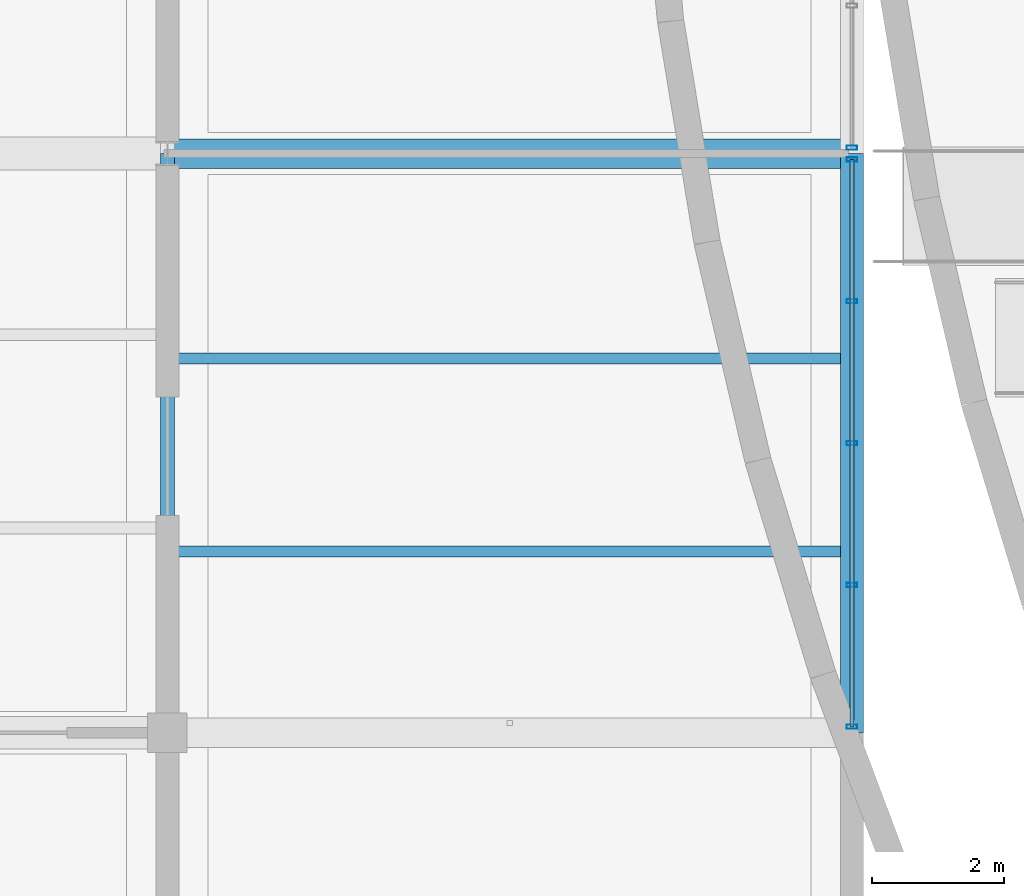
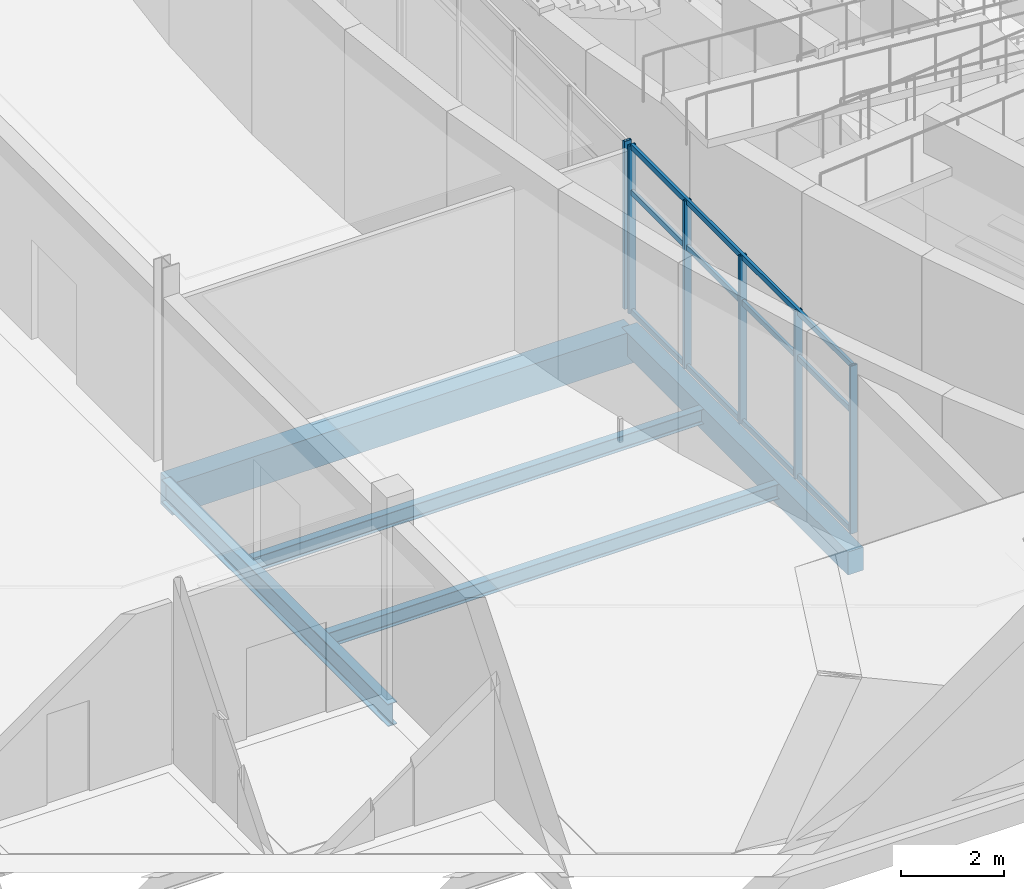
# One storey, part 58 of 116: 9 members, 5 beams, 2 elements without a shape of their own.
"""IFC4 building model written with IfcOpenShell, lengths in metres."""

from ifc_helpers import new_model, si_unit, direction, frame, origin, origin_2d, place, context, subcontext, project, spatial, rectangle, hollow_rectangle, i_section, extrude, material, layer, layer_set, material_profile, profile_set, type_object, element, aggregate, save


model = new_model("IFC4")

# Units and contexts
model_context = context("Model", 3, precision=1e-05, world=origin(), true_north=direction((0.0, 1.0)))
body_context = subcontext(model_context, "Body", "Model", "MODEL_VIEW")
ifc_project = project(units=[si_unit("LENGTHUNIT", "METRE"), si_unit("AREAUNIT", "SQUARE_METRE"), si_unit("VOLUMEUNIT", "CUBIC_METRE"), si_unit("PLANEANGLEUNIT", "RADIAN"), si_unit("MASSUNIT", "GRAM", prefix="KILO")], contexts=[model_context])

# Site, building, storey
site_placement = place(None, origin())
site = spatial("IfcSite", under=ifc_project, at=site_placement, CompositionType="ELEMENT")
building_placement = place(site_placement, origin())
building = spatial("IfcBuilding", under=site, at=building_placement, Name="Chalmorin Arch Market", CompositionType="ELEMENT")
storey_placement = place(building_placement, origin())
storey = spatial("IfcBuildingStorey", under=building, at=storey_placement, Name="L00", CompositionType="ELEMENT", Elevation=0.0)

# Beam
ifc_material_1 = material(Name="Concrete C40/50", Category="concrete")
ifc_material_profile_1 = material_profile(ifc_material_1, rectangle(XDim=0.449951171875, YDim=0.75, at=origin_2d()), Name="RC450X750")
ifc_profile_set_1 = profile_set([ifc_material_profile_1], Name="Concrete C40/50")
beam_type_1 = type_object("IfcBeamType", Name="BasementConcreteGirder-450x750", PredefinedType="BEAM", material=ifc_profile_set_1)
beam_1_placement = place(storey_placement, frame((124.800048828125, 23.60009765625, -0.72705078125), z_axis=(1.0, 0.0, 0.0), x_axis=(0.0, 1.0, 0.0)))
element("IfcBeam", 1, at=beam_1_placement, inside=storey, type_object=beam_type_1, Name="BG-RC2-0524", PredefinedType="BEAM", context=body_context, shape_type="SweptSolid", body=[
    extrude(rectangle(XDim=0.449951171875, YDim=0.75, at=origin_2d()), origin(), (0.0, 0.0, 1.0), 10.39990234375),
])

# Curtain wall, members
ifc_material_2 = material(Name="Aluminium 6063-T6", Category="aluminium")
ifc_layer = layer(ifc_material_2, 0.159912109375)
ifc_layer_set = layer_set([ifc_layer], Name="Aluminium 6063-T6")
curtain_wall_type = type_object("IfcCurtainWallType", Name="RiverfrontStorefrontCurtainWall-CW2-8620x3990", PredefinedType="NOTDEFINED", material=ifc_layer_set)
curtain_wall_1_placement = place(storey_placement, origin())
curtain_wall_1 = element("IfcCurtainWall", 2, at=curtain_wall_1_placement, inside=storey, type_object=curtain_wall_type, Name="CW-02-191", PredefinedType="NOTDEFINED")
ifc_material_profile_2 = material_profile(ifc_material_2, hollow_rectangle(XDim=0.06494140625, YDim=0.159912109375, WallThickness=0.00390625, at=origin_2d()), Name="ALU65X160X4")
ifc_profile_set_2 = profile_set([ifc_material_profile_2], Name="Aluminium 6063-T6")
member_type_1 = type_object("IfcMemberType", Name="CurtainWallMullion-65x160", PredefinedType="MULLION", material=ifc_profile_set_2)
member_1_placement = place(storey_placement, frame((135.199951171875, 14.889892578125, 0.0), z_axis=(0.0, 0.0, 1.0), x_axis=(0.0, 1.0, 0.0)))
member_1 = element("IfcMember", 3, at=member_1_placement, type_object=member_type_1, Name="ML-191-01", PredefinedType="MULLION", context=body_context, shape_type="SweptSolid", body=[
    extrude(hollow_rectangle(XDim=0.06494140625, YDim=0.159912109375, WallThickness=0.00390625, at=origin_2d()), origin(), (0.0, 0.0, 1.0), 3.986083984375),
])
member_2_placement = place(storey_placement, frame((135.199951171875, 17.044921875, 0.0), z_axis=(0.0, 0.0, 1.0), x_axis=(0.0, 1.0, 0.0)))
member_2 = element("IfcMember", 4, at=member_2_placement, type_object=member_type_1, Name="ML-191-02", PredefinedType="MULLION", context=body_context, shape_type="SweptSolid", body=[
    extrude(hollow_rectangle(XDim=0.06494140625, YDim=0.159912109375, WallThickness=0.00390625, at=origin_2d()), origin(), (0.0, 0.0, 1.0), 3.986083984375),
])
member_3_placement = place(storey_placement, frame((135.199951171875, 19.199951171875, 0.0), z_axis=(0.0, 0.0, 1.0), x_axis=(0.0, 1.0, 0.0)))
member_3 = element("IfcMember", 5, at=member_3_placement, type_object=member_type_1, Name="ML-191-03", PredefinedType="MULLION", context=body_context, shape_type="SweptSolid", body=[
    extrude(hollow_rectangle(XDim=0.06494140625, YDim=0.159912109375, WallThickness=0.00390625, at=origin_2d()), origin(), (0.0, 0.0, 1.0), 3.986083984375),
])
member_4_placement = place(storey_placement, frame((135.199951171875, 21.35498046875, 0.0), z_axis=(0.0, 0.0, 1.0), x_axis=(0.0, 1.0, 0.0)))
member_4 = element("IfcMember", 6, at=member_4_placement, type_object=member_type_1, Name="ML-191-04", PredefinedType="MULLION", context=body_context, shape_type="SweptSolid", body=[
    extrude(hollow_rectangle(XDim=0.06494140625, YDim=0.159912109375, WallThickness=0.00390625, at=origin_2d()), origin(), (0.0, 0.0, 1.0), 3.986083984375),
])
member_5_placement = place(storey_placement, frame((135.199951171875, 23.510009765625, 0.0), z_axis=(0.0, 0.0, 1.0), x_axis=(0.0, 1.0, 0.0)))
member_5 = element("IfcMember", 7, at=member_5_placement, type_object=member_type_1, Name="ML-191-05", PredefinedType="MULLION", context=body_context, shape_type="SweptSolid", body=[
    extrude(hollow_rectangle(XDim=0.06494140625, YDim=0.159912109375, WallThickness=0.00390625, at=origin_2d()), origin(), (0.0, 0.0, 1.0), 3.986083984375),
])

# Curtain wall, member
curtain_wall_2_placement = place(storey_placement, origin())
curtain_wall_2 = element("IfcCurtainWall", 8, at=curtain_wall_2_placement, inside=storey, type_object=curtain_wall_type, Name="CW-02-192", PredefinedType="NOTDEFINED")
member_6_placement = place(storey_placement, frame((135.199951171875, 23.68994140625, 0.0), z_axis=(0.0, 0.0, 1.0), x_axis=(0.0, 1.0, 0.0)))
member_6 = element("IfcMember", 9, at=member_6_placement, type_object=member_type_1, Name="ML-192-01", PredefinedType="MULLION", context=body_context, shape_type="SweptSolid", body=[
    extrude(hollow_rectangle(XDim=0.06494140625, YDim=0.159912109375, WallThickness=0.00390625, at=origin_2d()), origin(), (0.0, 0.0, 1.0), 3.986083984375),
])
aggregate(curtain_wall_2, [member_6])

# Member
ifc_material_profile_3 = material_profile(ifc_material_2, hollow_rectangle(XDim=0.06494140625, YDim=0.1298828125, WallThickness=0.00390625, at=origin_2d()), Name="ALU65X130X4")
ifc_profile_set_3 = profile_set([ifc_material_profile_3], Name="Aluminium 6063-T6")
member_type_2 = type_object("IfcMemberType", Name="CurtainWallTransom-65x130", PredefinedType="USERDEFINED", material=ifc_profile_set_3)
member_7_placement = place(storey_placement, frame((135.199951171875, 14.889892578125, 0.034912109375), z_axis=(0.0, 1.0, 0.0), x_axis=(-1.0, 0.0, 0.0)))
member_7 = element("IfcMember", 10, at=member_7_placement, type_object=member_type_2, Name="TR-191-01", ObjectType="TRANSOM", PredefinedType="USERDEFINED", context=body_context, shape_type="SweptSolid", body=[
    extrude(hollow_rectangle(XDim=0.06494140625, YDim=0.1298828125, WallThickness=0.00390625, at=origin_2d()), origin(), (0.0, 0.0, 1.0), 8.6201171875),
])

member_8_placement = place(storey_placement, frame((135.199951171875, 14.889892578125, 2.869873046875), z_axis=(0.0, 1.0, 0.0), x_axis=(-1.0, 0.0, 0.0)))
member_8 = element("IfcMember", 11, at=member_8_placement, type_object=member_type_2, Name="TR-191-02", ObjectType="TRANSOM", PredefinedType="USERDEFINED", context=body_context, shape_type="SweptSolid", body=[
    extrude(hollow_rectangle(XDim=0.06494140625, YDim=0.1298828125, WallThickness=0.00390625, at=origin_2d()), origin(), (0.0, 0.0, 1.0), 8.6201171875),
])

member_9_placement = place(storey_placement, frame((135.199951171875, 14.889892578125, 3.950927734375), z_axis=(0.0, 1.0, 0.0), x_axis=(-1.0, 0.0, 0.0)))
member_9 = element("IfcMember", 12, at=member_9_placement, type_object=member_type_2, Name="TR-191-03", ObjectType="TRANSOM", PredefinedType="USERDEFINED", context=body_context, shape_type="SweptSolid", body=[
    extrude(hollow_rectangle(XDim=0.06494140625, YDim=0.1298828125, WallThickness=0.00390625, at=origin_2d()), origin(), (0.0, 0.0, 1.0), 8.6201171875),
])

aggregate(curtain_wall_1, [member_1, member_2, member_3, member_4, member_5, member_7, member_8, member_9])

# Beams
ifc_material_3 = material(Name="Steel A992 Grade 50", Category="steel")
ifc_material_profile_4 = material_profile(ifc_material_3, i_section(OverallWidth=0.208984375, OverallDepth=0.532958984375, WebThickness=0.01025390625, FlangeThickness=0.015625, FilletRadius=0.02197265625, at=origin_2d()), Name="W21X62")
ifc_profile_set_4 = profile_set([ifc_material_profile_4], Name="Steel A992 Grade 50")
beam_type_2 = type_object("IfcBeamType", Name="PerimeterSpandrelBeam-W21X62", PredefinedType="SPANDREL", material=ifc_profile_set_4)
beam_2_placement = place(storey_placement, frame((124.800048828125, 14.800048828125, -0.618408203125), z_axis=(0.0, 1.0, 0.0), x_axis=(-1.0, 0.0, 0.0)))
element("IfcBeam", 13, at=beam_2_placement, inside=storey, type_object=beam_type_2, Name="SP-W21-0102", PredefinedType="SPANDREL", context=body_context, shape_type="SweptSolid", body=[
    extrude(i_section(OverallWidth=0.208984375, OverallDepth=0.532958984375, WebThickness=0.01025390625, FlangeThickness=0.015625, FilletRadius=0.02197265625, at=origin_2d()), origin(), (0.0, 0.0, 1.0), 8.800048828125),
])
ifc_material_profile_5 = material_profile(ifc_material_3, i_section(OverallWidth=0.1708984375, OverallDepth=0.35107421875, WebThickness=0.0068359375, FlangeThickness=0.009765625, FilletRadius=0.014892578125, at=origin_2d()), Name="W14X30")
ifc_profile_set_5 = profile_set([ifc_material_profile_5], Name="Steel A992 Grade 50")
beam_type_3 = type_object("IfcBeamType", Name="SecondaryFloorJoist-W14X30", PredefinedType="JOIST", material=ifc_profile_set_5)
for number, where, z_axis, x_axis, name in (
    (14, (124.800048828125, 17.55322265625, -0.527587890625), (1.0, 0.0, 0.0), (0.0, 1.0, 0.0), "BJ-W14-0536"),
    (15, (124.800048828125, 20.48681640625, -0.527587890625), (1.0, 0.0, 0.0), (0.0, 1.0, 0.0), "BJ-W14-0537"),
):
    element("IfcBeam", number, at=place(storey_placement, frame(where, z_axis=z_axis, x_axis=x_axis)), inside=storey, type_object=beam_type_3, Name=name, PredefinedType="JOIST", context=body_context, shape_type="SweptSolid", body=[
        extrude(i_section(OverallWidth=0.1708984375, OverallDepth=0.35107421875, WebThickness=0.0068359375, FlangeThickness=0.009765625, FilletRadius=0.014892578125, at=origin_2d()), origin(), (0.0, 0.0, 1.0), 10.39990234375),
    ])
ifc_material_profile_6 = material_profile(ifc_material_1, rectangle(XDim=0.35009765625, YDim=0.550048828125, at=origin_2d()), Name="RC350X550")
ifc_profile_set_6 = profile_set([ifc_material_profile_6], Name="Concrete C40/50")
beam_type_4 = type_object("IfcBeamType", Name="TerraceEdgeBeam-350x550", PredefinedType="SPANDREL", material=ifc_profile_set_6)
beam_3_placement = place(storey_placement, frame((135.199951171875, 14.800048828125, -0.626953125), z_axis=(0.0, 1.0, 0.0), x_axis=(-1.0, 0.0, 0.0)))
element("IfcBeam", 16, at=beam_3_placement, inside=storey, type_object=beam_type_4, Name="SP-RC1-0525", PredefinedType="SPANDREL", context=body_context, shape_type="SweptSolid", body=[
    extrude(rectangle(XDim=0.35009765625, YDim=0.550048828125, at=origin_2d()), origin(), (0.0, 0.0, 1.0), 8.800048828125),
])

save(model, "model.ifc")
